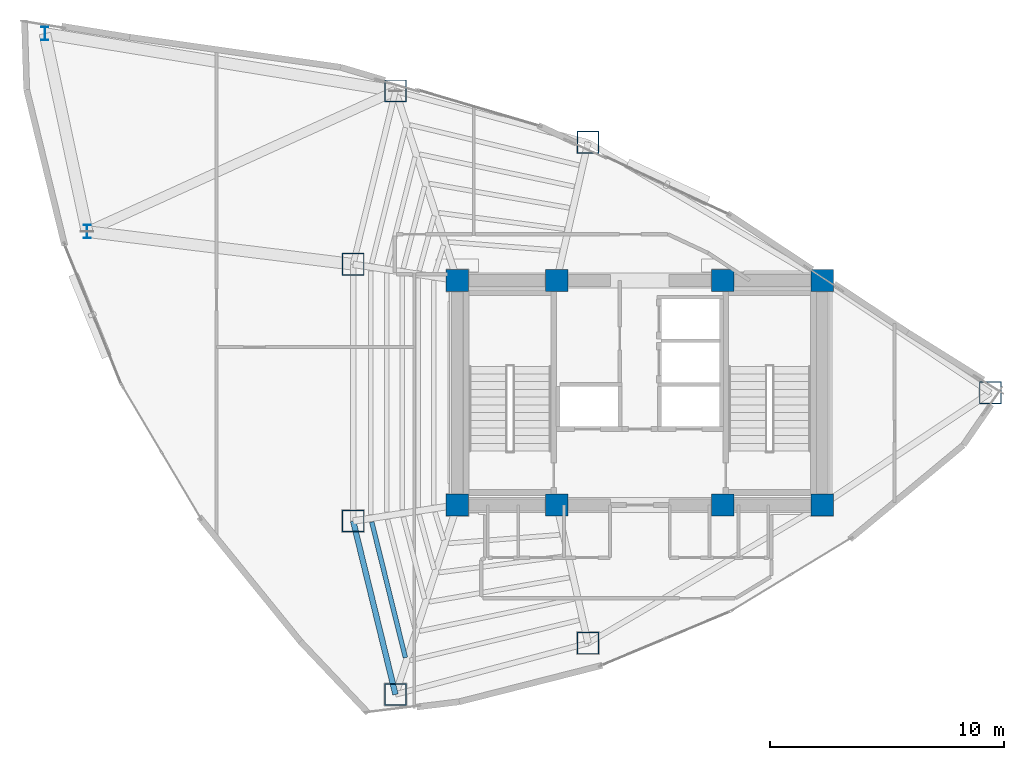
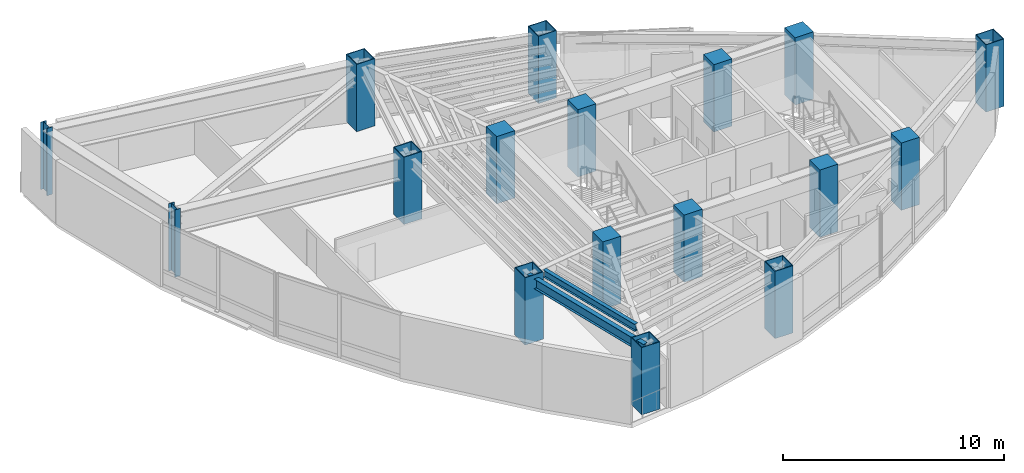
# One storey, part 1 of 16: 17 columns, 2 beams.
"""IFC4 building model written with IfcOpenShell, lengths in metres."""

from ifc_helpers import new_model, si_unit, direction, frame, origin, origin_2d, place, context, subcontext, project, spatial, rectangle, hollow_rectangle, i_section, extrude, material, material_profile, profile_set, type_object, element, save


model = new_model("IFC4")

# Units and contexts
model_context = context("Model", 3, precision=1e-05, world=origin(), true_north=direction((0.0, 1.0)))
body_context = subcontext(model_context, "Body", "Model", "MODEL_VIEW")
ifc_project = project(units=[si_unit("LENGTHUNIT", "METRE"), si_unit("AREAUNIT", "SQUARE_METRE"), si_unit("VOLUMEUNIT", "CUBIC_METRE"), si_unit("PLANEANGLEUNIT", "RADIAN"), si_unit("MASSUNIT", "GRAM", prefix="KILO")], contexts=[model_context])

# Site, building, storey
site_placement = place(None, origin())
site = spatial("IfcSite", under=ifc_project, at=site_placement, CompositionType="ELEMENT")
building_placement = place(site_placement, origin())
building = spatial("IfcBuilding", under=site, at=building_placement, Name="Menara Vayukalpa", CompositionType="ELEMENT")
storey_placement = place(building_placement, frame((0.0, 0.0, 195.239990234375)))
storey = spatial("IfcBuildingStorey", under=building, at=storey_placement, Name="L49", CompositionType="ELEMENT", Elevation=195.239990234375)

# Columns
ifc_material_1 = material(Name="Concrete C60/75", Category="concrete")
ifc_material_profile_1 = material_profile(ifc_material_1, rectangle(XDim=0.949951171875, YDim=0.949951171875, at=origin_2d()), Name="RC 950x950")
ifc_profile_set_1 = profile_set([ifc_material_profile_1], Name="Concrete C60/75")
column_type_1 = type_object("IfcColumnType", Name="COL-CC2", PredefinedType="COLUMN", material=ifc_profile_set_1)
for number, where, z_axis, x_axis, name in (
    (1, (17.800048828125, 17.199951171875, 0.0), (0.0, 0.0, 1.0), (1.0, 0.0, 0.0), "L49 Core Pilaster Column CC1"),
    (2, (22.050048828125, 17.199951171875, 0.0), (0.0, 0.0, 1.0), (1.0, 0.0, 0.0), "L49 Core Pilaster Column CC2"),
    (3, (29.14990234375, 17.199951171875, 0.0), (0.0, 0.0, 1.0), (1.0, 0.0, 0.0), "L49 Core Pilaster Column CC3"),
    (4, (33.39990234375, 17.199951171875, 0.0), (0.0, 0.0, 1.0), (1.0, 0.0, 0.0), "L49 Core Pilaster Column CC4"),
    (5, (17.800048828125, 26.800048828125, 0.0), (0.0, 0.0, 1.0), (1.0, 0.0, 0.0), "L49 Core Pilaster Column CC5"),
    (6, (22.050048828125, 26.800048828125, 0.0), (0.0, 0.0, 1.0), (1.0, 0.0, 0.0), "L49 Core Pilaster Column CC6"),
    (7, (29.14990234375, 26.800048828125, 0.0), (0.0, 0.0, 1.0), (1.0, 0.0, 0.0), "L49 Core Pilaster Column CC7"),
    (8, (33.39990234375, 26.800048828125, 0.0), (0.0, 0.0, 1.0), (1.0, 0.0, 0.0), "L49 Core Pilaster Column CC8"),
):
    element("IfcColumn", number, at=place(storey_placement, frame(where, z_axis=z_axis, x_axis=x_axis)), inside=storey, type_object=column_type_1, Name=name, PredefinedType="COLUMN", context=body_context, shape_type="SweptSolid", body=[
        extrude(rectangle(XDim=0.949951171875, YDim=0.949951171875, at=origin_2d()), origin(), (0.0, 0.0, 1.0), 3.719970703125),
    ])
ifc_material_2 = material(Name="Steel S460", Category="steel")
ifc_material_profile_2 = material_profile(ifc_material_2, hollow_rectangle(XDim=0.949951171875, YDim=0.949951171875, WallThickness=0.0400390625, at=origin_2d()), Name="BOX 950x950x40")
ifc_profile_set_2 = profile_set([ifc_material_profile_2], Name="Steel S460")
column_type_2 = type_object("IfcColumnType", Name="COL-MC4", PredefinedType="COLUMN", material=ifc_profile_set_2)
for number, where, z_axis, x_axis, name in (
    (9, (40.590576171875, 22.0, 0.0), (0.0, 0.0, 1.0), (1.0, 0.0, 0.0), "L49 Perimeter Mega Column P01"),
    (10, (23.389404296875, 32.70849609375, 0.0), (0.0, 0.0, 1.0), (1.0, 0.0, 0.0), "L49 Perimeter Mega Column P03"),
    (11, (15.15478515625, 34.902587890625, 0.0), (0.0, 0.0, 1.0), (1.0, 0.0, 0.0), "L49 Perimeter Mega Column P04"),
    (12, (13.343994140625, 27.4892578125, 0.0), (0.0, 0.0, 1.0), (1.0, 0.0, 0.0), "L49 Perimeter Mega Column P05"),
    (13, (13.343994140625, 16.5107421875, 0.0), (0.0, 0.0, 1.0), (1.0, 0.0, 0.0), "L49 Perimeter Mega Column P06"),
    (14, (15.15478515625, 9.097412109375, 0.0), (0.0, 0.0, 1.0), (1.0, 0.0, 0.0), "L49 Perimeter Mega Column P07"),
    (15, (23.389404296875, 11.29150390625, 0.0), (0.0, 0.0, 1.0), (1.0, 0.0, 0.0), "L49 Perimeter Mega Column P08"),
):
    element("IfcColumn", number, at=place(storey_placement, frame(where, z_axis=z_axis, x_axis=x_axis)), inside=storey, type_object=column_type_2, Name=name, PredefinedType="COLUMN", context=body_context, shape_type="SweptSolid", body=[
        extrude(hollow_rectangle(XDim=0.949951171875, YDim=0.949951171875, WallThickness=0.0400390625, at=origin_2d()), origin(), (0.0, 0.0, 1.0), 3.719970703125),
    ])
ifc_material_3 = material(Name="Steel S460", Category="steel")
ifc_material_profile_3 = material_profile(ifc_material_3, i_section(OverallWidth=0.300048828125, OverallDepth=0.587890625, WebThickness=0.011962890625, FlangeThickness=0.02001953125, at=origin_2d()), Name="H 588x300x12x20")
ifc_profile_set_3 = profile_set([ifc_material_profile_3], Name="Steel S460")
column_type_3 = type_object("IfcColumnType", Name="COL-SC1", PredefinedType="COLUMN", material=ifc_profile_set_3)
for number, where, z_axis, x_axis, name in (
    (16, (0.165283203125, 37.35498046875, 0.0), (0.0, 0.0, 1.0), (1.0, 0.0, 0.0), "L49 SB4 Sky Bar Vierendeel Column SB04"),
    (17, (1.96630859375, 28.889404296875, 0.0), (0.0, 0.0, 1.0), (1.0, 0.0, 0.0), "L49 SB4 Sky Bar Vierendeel Column SB05"),
):
    element("IfcColumn", number, at=place(storey_placement, frame(where, z_axis=z_axis, x_axis=x_axis)), inside=storey, type_object=column_type_3, Name=name, PredefinedType="COLUMN", context=body_context, shape_type="SweptSolid", body=[
        extrude(i_section(OverallWidth=0.300048828125, OverallDepth=0.587890625, WebThickness=0.011962890625, FlangeThickness=0.02001953125, at=origin_2d()), origin(), (0.0, 0.0, 1.0), 3.719970703125),
    ])

# Beams
ifc_material_4 = material(Name="Steel S355", Category="steel")
ifc_material_profile_4 = material_profile(ifc_material_4, i_section(OverallWidth=0.199951171875, OverallDepth=0.39990234375, WebThickness=0.008056640625, FlangeThickness=0.012939453125, at=origin_2d()), Name="WF 400x200x8x13")
ifc_profile_set_4 = profile_set([ifc_material_profile_4], Name="Steel S355")
beam_type_1 = type_object("IfcBeamType", Name="BM-SJ2", PredefinedType="JOIST", material=ifc_profile_set_4)
beam_1_placement = place(storey_placement, frame((14.14013671875, 16.47265625, 3.300048828125), z_axis=(0.240556182956, -0.970635216156, 0.0), x_axis=(0.970635216156, 0.240556182956, 0.0)))
element("IfcBeam", 18, at=beam_1_placement, inside=storey, type_object=beam_type_1, Name="L49 Secondary Floor Joist SJ06-5", PredefinedType="JOIST", context=body_context, shape_type="SweptSolid", body=[
    extrude(i_section(OverallWidth=0.199951171875, OverallDepth=0.39990234375, WebThickness=0.008056640625, FlangeThickness=0.012939453125, at=origin_2d()), origin(), (0.0, 0.0, 1.0), 5.979736328125),
])
ifc_material_5 = material(Name="Steel S355", Category="steel")
ifc_material_profile_5 = material_profile(ifc_material_5, i_section(OverallWidth=0.239990234375, OverallDepth=0.550048828125, WebThickness=0.010986328125, FlangeThickness=0.01904296875, at=origin_2d()), Name="WF 550x240x11x19")
ifc_profile_set_5 = profile_set([ifc_material_profile_5], Name="Steel S355")
beam_type_2 = type_object("IfcBeamType", Name="BM-SP2", PredefinedType="SPANDREL", material=ifc_profile_set_5)
beam_2_placement = place(storey_placement, frame((13.343994140625, 16.5107421875, 3.22509765625), z_axis=(0.237285374413, -0.971439988414, 0.0), x_axis=(0.971439988414, 0.237285374413, 0.0)))
element("IfcBeam", 19, at=beam_2_placement, inside=storey, type_object=beam_type_2, Name="L49 Perimeter Spandrel Beam SP06", PredefinedType="SPANDREL", context=body_context, shape_type="SweptSolid", body=[
    extrude(i_section(OverallWidth=0.239990234375, OverallDepth=0.550048828125, WebThickness=0.010986328125, FlangeThickness=0.01904296875, at=origin_2d()), origin(), (0.0, 0.0, 1.0), 7.63134765625),
])

save(model, "model.ifc")
